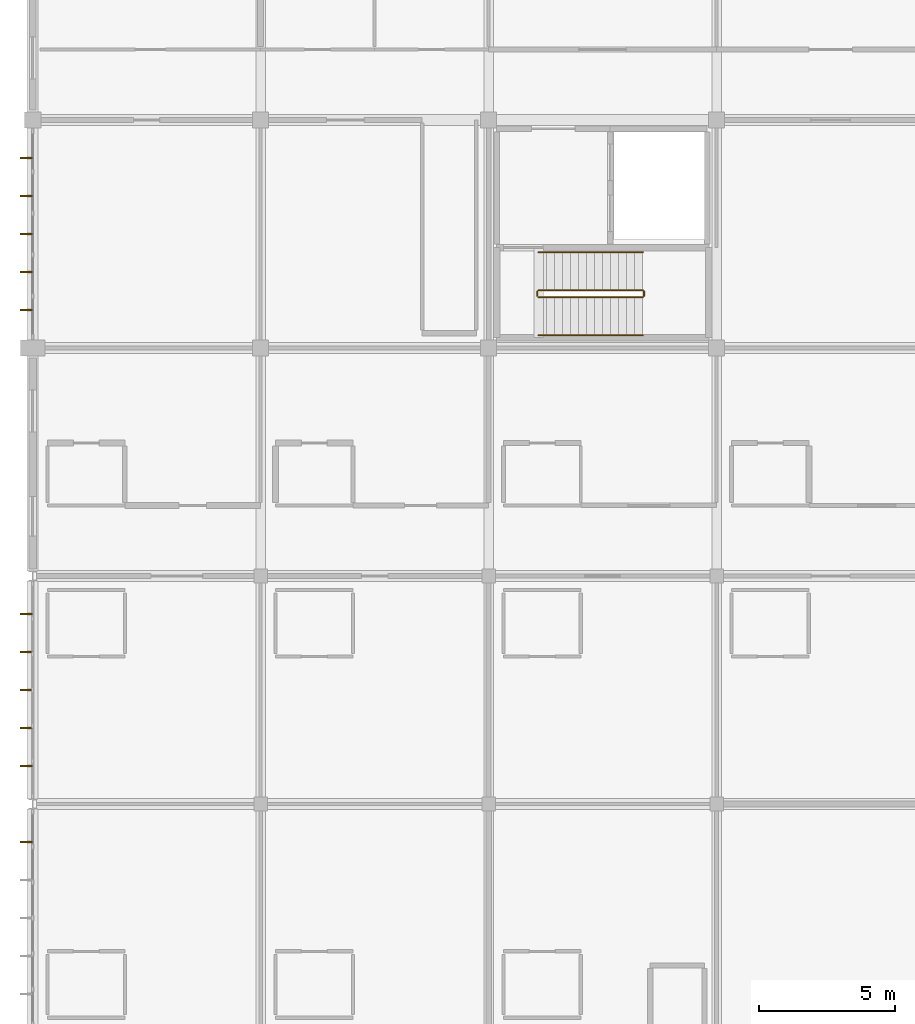
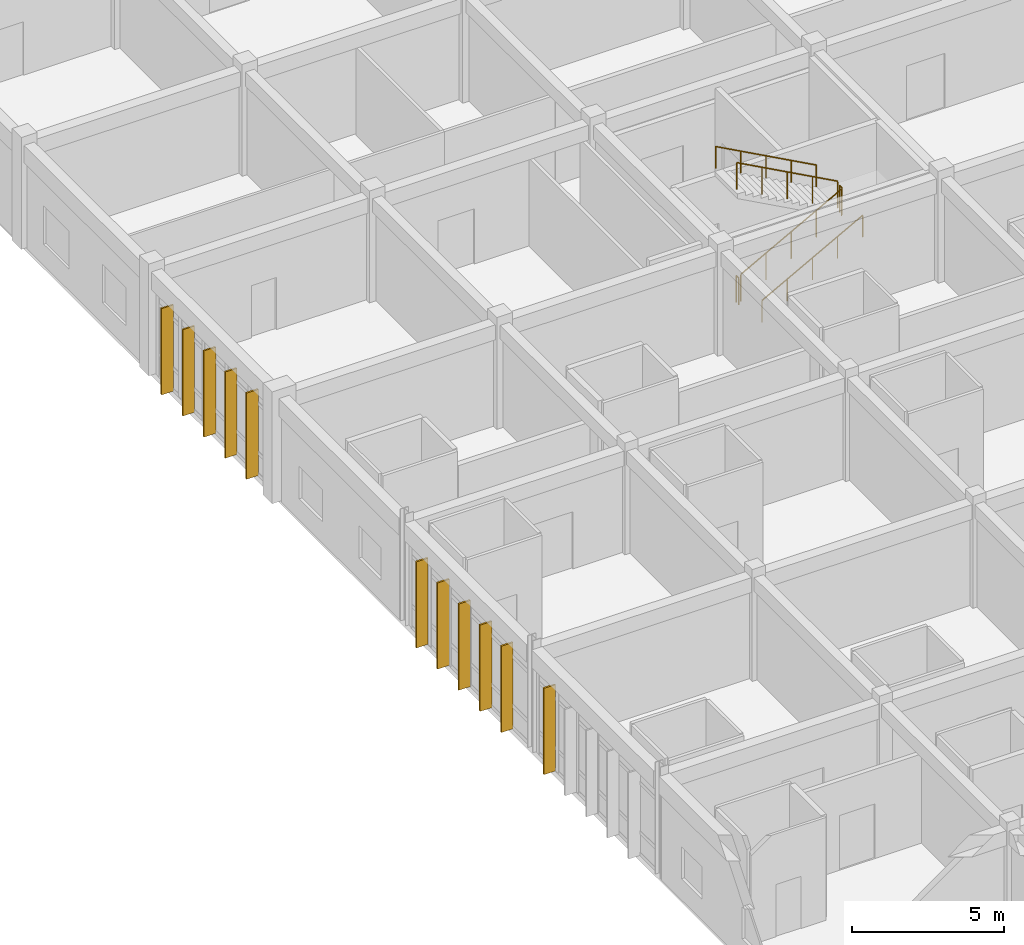
# One storey, part 126 of 144: 11 shading devices, 6 railings.
"""IFC4 building model written with IfcOpenShell, lengths in metres."""

from ifc_helpers import new_model, si_unit, direction, frame, origin, origin_2d, place, context, subcontext, project, spatial, rectangle, circle, extrude, material, material_profile, profile_set, type_object, element, save


model = new_model("IFC4")

# Units and contexts
model_context = context("Model", 3, precision=1e-05, world=origin(), true_north=direction((0.0, 1.0)))
body_context = subcontext(model_context, "Body", "Model", "MODEL_VIEW")
ifc_project = project(units=[si_unit("LENGTHUNIT", "METRE"), si_unit("AREAUNIT", "SQUARE_METRE"), si_unit("VOLUMEUNIT", "CUBIC_METRE"), si_unit("PLANEANGLEUNIT", "RADIAN"), si_unit("MASSUNIT", "GRAM", prefix="KILO")], contexts=[model_context])

# Site, building, storey
site_placement = place(None, origin())
site = spatial("IfcSite", under=ifc_project, at=site_placement, CompositionType="ELEMENT")
building_placement = place(site_placement, origin())
building = spatial("IfcBuilding", under=site, at=building_placement, Name="Bramfleet General Hospital", CompositionType="ELEMENT")
storey_placement = place(building_placement, frame((0.0, 0.0, 4.800048828125)))
storey = spatial("IfcBuildingStorey", under=building, at=storey_placement, Name="L01", CompositionType="ELEMENT", Elevation=4.800048828125)

# Railings
ifc_material_1 = material(Name="Powder-coated steel stair balustrade", Category="steel")
railing_type_1 = type_object("IfcRailingType", Name="RAIL-ST-GUARD", PredefinedType="GUARDRAIL", material=ifc_material_1)
railing_1_placement = place(storey_placement, frame((18.639892578125, 52.27001953125, 0.16064453125)))
element("IfcRailing", 1, at=railing_1_placement, inside=storey, type_object=railing_type_1, Name="L01 ST-C2 stair guard 1", PredefinedType="GUARDRAIL", context=body_context, shape_type="SweptSolid", body=[
    extrude(circle(Radius=0.02392578125, at=origin_2d()), frame((0.0, 0.0, 1.076171875), z_axis=(0.878143269688, 0.0, 0.478397740276), x_axis=(0.0, 1.0, 0.0)), (0.0, 0.0, 1.0), 4.367431640625),
    extrude(circle(Radius=0.02099609375, at=origin_2d()), origin(), (0.0, 0.0, 1.0), 1.052001953125),
    extrude(circle(Radius=0.02099609375, at=origin_2d()), frame((0.958740234375, 0.0, 0.5224609375)), (0.0, 0.0, 1.0), 1.052001953125),
    extrude(circle(Radius=0.02099609375, at=origin_2d()), frame((1.91748046875, 0.0, 1.044677734375)), (0.0, 0.0, 1.0), 1.052001953125),
    extrude(circle(Radius=0.02099609375, at=origin_2d()), frame((2.87646484375, 0.0, 1.56689453125)), (0.0, 0.0, 1.0), 1.052001953125),
    extrude(circle(Radius=0.02099609375, at=origin_2d()), frame((3.835205078125, 0.0, 2.08935546875)), (0.0, 0.0, 1.0), 1.052001953125),
])
railing_2_placement = place(storey_placement, frame((22.52490234375, 52.320068359375, 2.25)))
element("IfcRailing", 2, at=railing_2_placement, inside=storey, type_object=railing_type_1, Name="L01 ST-C2 stair guard 2", PredefinedType="GUARDRAIL", context=body_context, shape_type="SweptSolid", body=[
    extrude(circle(Radius=0.02392578125, at=origin_2d()), frame((0.0, 0.0, 1.076171875), z_axis=(0.0, 1.0, 0.0), x_axis=(-1.0, 0.0, 0.0)), (0.0, 0.0, 1.0), 0.159912109375),
    extrude(circle(Radius=0.02099609375, at=origin_2d()), origin(), (0.0, 0.0, 1.0), 1.052001953125),
    extrude(circle(Radius=0.02099609375, at=origin_2d()), frame((0.0, 0.159912109375, 0.0)), (0.0, 0.0, 1.0), 1.052001953125),
])
railing_3_placement = place(storey_placement, frame((22.47509765625, 52.530029296875, 2.41064453125)))
element("IfcRailing", 3, at=railing_3_placement, inside=storey, type_object=railing_type_1, Name="L01 ST-C2 stair guard 3", PredefinedType="GUARDRAIL", context=body_context, shape_type="SweptSolid", body=[
    extrude(circle(Radius=0.02392578125, at=origin_2d()), frame((0.0, 0.0, 1.076171875), z_axis=(-0.878143269688, 0.0, 0.478397740276), x_axis=(0.0, -1.0, 0.0)), (0.0, 0.0, 1.0), 4.367431640625),
    extrude(circle(Radius=0.02099609375, at=origin_2d()), origin(), (0.0, 0.0, 1.0), 1.052001953125),
    extrude(circle(Radius=0.02099609375, at=origin_2d()), frame((-0.958740234375, 0.0, 0.5224609375)), (0.0, 0.0, 1.0), 1.052001953125),
    extrude(circle(Radius=0.02099609375, at=origin_2d()), frame((-1.91748046875, 0.0, 1.044677734375)), (0.0, 0.0, 1.0), 1.052001953125),
    extrude(circle(Radius=0.02099609375, at=origin_2d()), frame((-2.87646484375, 0.0, 1.56689453125)), (0.0, 0.0, 1.0), 1.052001953125),
    extrude(circle(Radius=0.02099609375, at=origin_2d()), frame((-3.835205078125, 0.0, 2.08935546875)), (0.0, 0.0, 1.0), 1.052001953125),
])
railing_4_placement = place(storey_placement, frame((18.590087890625, 52.320068359375, 0.0)))
element("IfcRailing", 4, at=railing_4_placement, inside=storey, type_object=railing_type_1, Name="L01 ST-C2 stair guard 4", PredefinedType="GUARDRAIL", context=body_context, shape_type="SweptSolid", body=[
    extrude(circle(Radius=0.02392578125, at=origin_2d()), frame((0.0, 0.0, 1.076171875), z_axis=(0.0, 1.0, 0.0), x_axis=(-1.0, 0.0, 0.0)), (0.0, 0.0, 1.0), 0.159912109375),
    extrude(circle(Radius=0.02099609375, at=origin_2d()), origin(), (0.0, 0.0, 1.0), 1.052001953125),
    extrude(circle(Radius=0.02099609375, at=origin_2d()), frame((0.0, 0.159912109375, 0.0)), (0.0, 0.0, 1.0), 1.052001953125),
])
ifc_material_2 = material(Name="Stainless steel 1.4301 stair handrail", Category="steel")
railing_type_2 = type_object("IfcRailingType", Name="RAIL-ST-HND", PredefinedType="HANDRAIL", material=ifc_material_2)
railing_5_placement = place(storey_placement, frame((18.639892578125, 50.8701171875, 0.16064453125)))
element("IfcRailing", 5, at=railing_5_placement, inside=storey, type_object=railing_type_2, Name="L01 ST-C2 stair handrail 1", PredefinedType="HANDRAIL", context=body_context, shape_type="SweptSolid", body=[
    extrude(circle(Radius=0.02392578125, at=origin_2d()), frame((0.0, 0.0, 0.8759765625), z_axis=(0.878143269688, 0.0, 0.478397740276), x_axis=(0.0, 1.0, 0.0)), (0.0, 0.0, 1.0), 4.367431640625),
    extrude(circle(Radius=0.02099609375, at=origin_2d()), origin(), (0.0, 0.0, 1.0), 0.851806640625),
    extrude(circle(Radius=0.02099609375, at=origin_2d()), frame((0.958740234375, 0.0, 0.5224609375)), (0.0, 0.0, 1.0), 0.851806640625),
    extrude(circle(Radius=0.02099609375, at=origin_2d()), frame((1.91748046875, 0.0, 1.044677734375)), (0.0, 0.0, 1.0), 0.851806640625),
    extrude(circle(Radius=0.02099609375, at=origin_2d()), frame((2.87646484375, 0.0, 1.56689453125)), (0.0, 0.0, 1.0), 0.851806640625),
    extrude(circle(Radius=0.02099609375, at=origin_2d()), frame((3.835205078125, 0.0, 2.08935546875)), (0.0, 0.0, 1.0), 0.851806640625),
])
railing_6_placement = place(storey_placement, frame((22.47509765625, 53.929931640625, 2.41064453125)))
element("IfcRailing", 6, at=railing_6_placement, inside=storey, type_object=railing_type_2, Name="L01 ST-C2 stair handrail 2", PredefinedType="HANDRAIL", context=body_context, shape_type="SweptSolid", body=[
    extrude(circle(Radius=0.02392578125, at=origin_2d()), frame((0.0, 0.0, 0.8759765625), z_axis=(-0.878143269688, 0.0, 0.478397740276), x_axis=(0.0, -1.0, 0.0)), (0.0, 0.0, 1.0), 4.367431640625),
    extrude(circle(Radius=0.02099609375, at=origin_2d()), origin(), (0.0, 0.0, 1.0), 0.851806640625),
    extrude(circle(Radius=0.02099609375, at=origin_2d()), frame((-0.958740234375, 0.0, 0.5224609375)), (0.0, 0.0, 1.0), 0.851806640625),
    extrude(circle(Radius=0.02099609375, at=origin_2d()), frame((-1.91748046875, 0.0, 1.044677734375)), (0.0, 0.0, 1.0), 0.851806640625),
    extrude(circle(Radius=0.02099609375, at=origin_2d()), frame((-2.87646484375, 0.0, 1.56689453125)), (0.0, 0.0, 1.0), 0.851806640625),
    extrude(circle(Radius=0.02099609375, at=origin_2d()), frame((-3.835205078125, 0.0, 2.08935546875)), (0.0, 0.0, 1.0), 0.851806640625),
])

# Shading devices
ifc_material_3 = material(Name="Treated European larch timber", Category="wood")
ifc_material_profile = material_profile(ifc_material_3, rectangle(XDim=0.06494140625, YDim=0.449951171875, at=origin_2d()), Name="LARCH FIN 450x65")
ifc_profile_set = profile_set([ifc_material_profile], Name="Treated European larch timber")
shading_device_type = type_object("IfcShadingDeviceType", Name="SHD-FIN-450", PredefinedType="USERDEFINED", material=ifc_profile_set)
for number, where, z_axis, x_axis, name in (
    (7, (-0.239990234375, 32.199951171875, -0.02001953125), (0.0, 0.0, 1.0), (0.0, 1.0, 0.0), "L01 Larch Timber Shading Fin 350"),
    (8, (-0.239990234375, 35.0, -0.02001953125), (0.0, 0.0, 1.0), (0.0, 1.0, 0.0), "L01 Larch Timber Shading Fin 351"),
    (9, (-0.239990234375, 36.39990234375, -0.02001953125), (0.0, 0.0, 1.0), (0.0, 1.0, 0.0), "L01 Larch Timber Shading Fin 352"),
    (10, (-0.239990234375, 37.800048828125, -0.02001953125), (0.0, 0.0, 1.0), (0.0, 1.0, 0.0), "L01 Larch Timber Shading Fin 353"),
    (11, (-0.239990234375, 39.199951171875, -0.02001953125), (0.0, 0.0, 1.0), (0.0, 1.0, 0.0), "L01 Larch Timber Shading Fin 354"),
    (12, (-0.239990234375, 40.60009765625, -0.02001953125), (0.0, 0.0, 1.0), (0.0, 1.0, 0.0), "L01 Larch Timber Shading Fin 355"),
    (13, (-0.239990234375, 51.800048828125, -0.02001953125), (0.0, 0.0, 1.0), (0.0, 1.0, 0.0), "L01 Larch Timber Shading Fin 356"),
    (14, (-0.239990234375, 53.199951171875, -0.02001953125), (0.0, 0.0, 1.0), (0.0, 1.0, 0.0), "L01 Larch Timber Shading Fin 357"),
    (15, (-0.239990234375, 54.60009765625, -0.02001953125), (0.0, 0.0, 1.0), (0.0, 1.0, 0.0), "L01 Larch Timber Shading Fin 358"),
    (16, (-0.239990234375, 56.0, -0.02001953125), (0.0, 0.0, 1.0), (0.0, 1.0, 0.0), "L01 Larch Timber Shading Fin 359"),
    (17, (-0.239990234375, 57.39990234375, -0.02001953125), (0.0, 0.0, 1.0), (0.0, 1.0, 0.0), "L01 Larch Timber Shading Fin 360"),
):
    element("IfcShadingDevice", number, at=place(storey_placement, frame(where, z_axis=z_axis, x_axis=x_axis)), inside=storey, type_object=shading_device_type, Name=name, ObjectType="Fin", PredefinedType="USERDEFINED", context=body_context, shape_type="SweptSolid", body=[
        extrude(rectangle(XDim=0.06494140625, YDim=0.449951171875, at=origin_2d()), origin(), (0.0, 0.0, 1.0), 3.469970703125),
    ])

save(model, "model.ifc")
